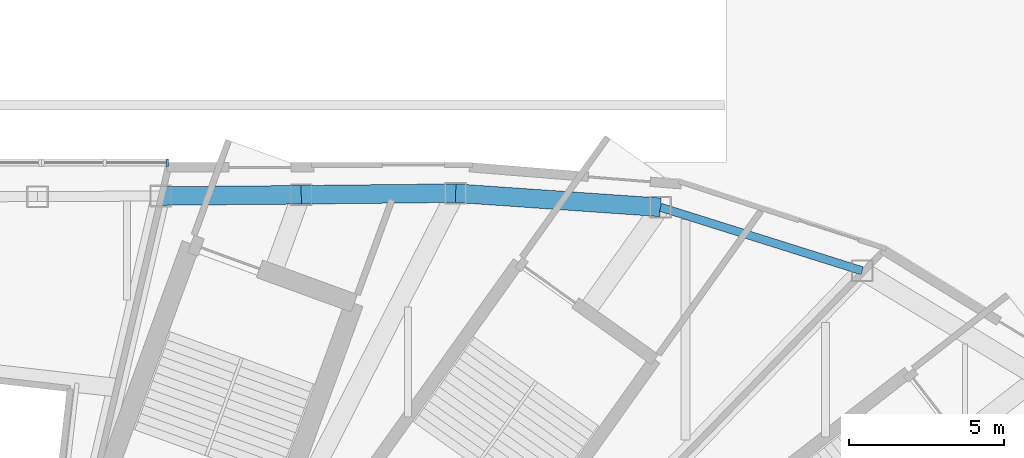
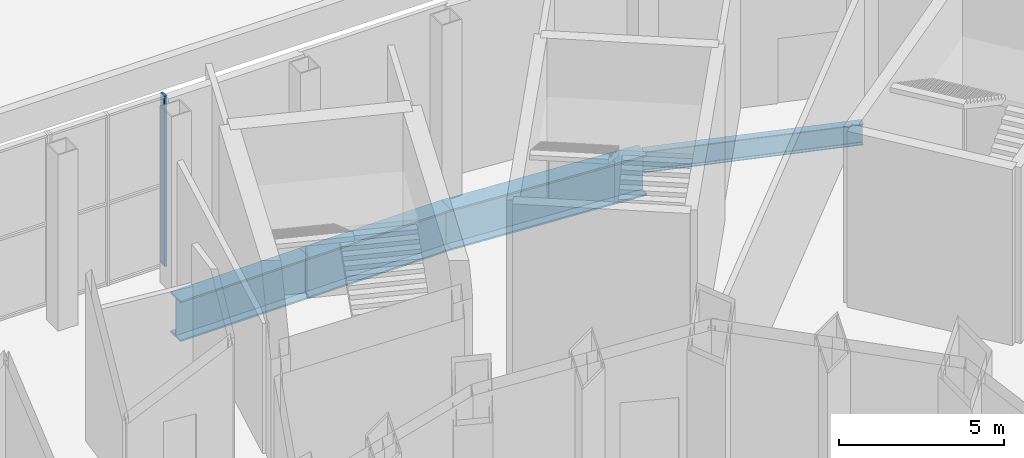
# One storey, part 12 of 47: 4 beams, 1 member, 1 element without a shape of its own.
"""IFC4 building model written with IfcOpenShell, lengths in metres."""

from ifc_helpers import new_model, si_unit, direction, frame, origin, origin_2d, place, context, subcontext, project, spatial, rectangle, i_section, extrude, material, material_profile, profile_set, type_object, element, aggregate, save


model = new_model("IFC4")

# Units and contexts
model_context = context("Model", 3, precision=1e-05, world=origin(), true_north=direction((0.0, 1.0)))
body_context = subcontext(model_context, "Body", "Model", "MODEL_VIEW")
ifc_project = project(units=[si_unit("LENGTHUNIT", "METRE"), si_unit("AREAUNIT", "SQUARE_METRE"), si_unit("VOLUMEUNIT", "CUBIC_METRE"), si_unit("PLANEANGLEUNIT", "RADIAN"), si_unit("MASSUNIT", "GRAM", prefix="KILO")], contexts=[model_context])

# Site, building, storey
site_placement = place(None, origin())
site = spatial("IfcSite", under=ifc_project, at=site_placement, CompositionType="ELEMENT")
building_placement = place(site_placement, origin())
building = spatial("IfcBuilding", under=site, at=building_placement, Name="Lantaw Convention Tower", CompositionType="ELEMENT")
storey_placement = place(building_placement, origin())
storey = spatial("IfcBuildingStorey", under=building, at=storey_placement, Name="L00", CompositionType="ELEMENT", Elevation=0.0)

# Beams
ifc_material_1 = material(Name="Steel ASTM A572 Grade 50", Category="steel")
ifc_material_profile_1 = material_profile(ifc_material_1, i_section(OverallWidth=0.60009765625, OverallDepth=1.5, WebThickness=0.02490234375, FlangeThickness=0.06005859375, at=origin_2d()), Name="PG1500X600X25X60")
ifc_profile_set_1 = profile_set([ifc_material_profile_1], Name="Steel ASTM A572 Grade 50")
beam_type_1 = type_object("IfcBeamType", Name="Beam E PG1500X600X25X60", PredefinedType="SPANDREL", material=ifc_profile_set_1)
beam_1_placement = place(storey_placement, frame((23.940185546875, 33.562744140625, -1.199951171875), z_axis=(-0.997615470709, 0.069017190627, 0.0), x_axis=(-0.069017190627, -0.997615470709, 0.0)))
element("IfcBeam", 1, at=beam_1_placement, inside=storey, type_object=beam_type_1, Name="Podium edge beam B03", PredefinedType="SPANDREL", context=body_context, shape_type="SweptSolid", body=[
    extrude(i_section(OverallWidth=0.60009765625, OverallDepth=1.5, WebThickness=0.02490234375, FlangeThickness=0.06005859375, at=origin_2d()), origin(), (0.0, 0.0, 1.0), 6.6220703125),
])
beam_2_placement = place(storey_placement, frame((17.333984375, 34.019775390625, -1.199951171875), z_axis=(-0.999942166471, -0.010754706535, 0.0), x_axis=(0.010754706535, -0.999942166471, 0.0)))
element("IfcBeam", 2, at=beam_2_placement, inside=storey, type_object=beam_type_1, Name="Podium edge beam R04", PredefinedType="SPANDREL", context=body_context, shape_type="SweptSolid", body=[
    extrude(i_section(OverallWidth=0.60009765625, OverallDepth=1.5, WebThickness=0.02490234375, FlangeThickness=0.06005859375, at=origin_2d()), origin(), (0.0, 0.0, 1.0), 4.971435546875),
])
beam_3_placement = place(storey_placement, frame((12.36279296875, 33.96630859375, -1.199951171875), z_axis=(-0.999964655563, -0.00840759331, 0.0), x_axis=(0.00840759331, -0.999964655563, 0.0)))
element("IfcBeam", 3, at=beam_3_placement, inside=storey, type_object=beam_type_1, Name="Podium edge beam B04", PredefinedType="SPANDREL", context=body_context, shape_type="SweptSolid", body=[
    extrude(i_section(OverallWidth=0.60009765625, OverallDepth=1.5, WebThickness=0.02490234375, FlangeThickness=0.06005859375, at=origin_2d()), origin(), (0.0, 0.0, 1.0), 4.530029296875),
])
ifc_material_2 = material(Name="Steel ASTM A992", Category="steel")
ifc_material_profile_2 = material_profile(ifc_material_2, i_section(OverallWidth=0.2666015625, OverallDepth=0.76953125, WebThickness=0.015625, FlangeThickness=0.025390625, FilletRadius=0.0126953125, at=origin_2d()), Name="W30X132")
ifc_profile_set_2 = profile_set([ifc_material_profile_2], Name="Steel ASTM A992")
beam_type_2 = type_object("IfcBeamType", Name="Beam E W30X132", PredefinedType="SPANDREL", material=ifc_profile_set_2)
beam_4_placement = place(storey_placement, frame((30.43603515625, 31.517578125, -0.834716796875), z_axis=(-0.953841834513, 0.300309431643, 0.0), x_axis=(-0.300309431643, -0.953841834513, 0.0)))
element("IfcBeam", 4, at=beam_4_placement, inside=storey, type_object=beam_type_2, Name="Podium edge beam R03", PredefinedType="SPANDREL", context=body_context, shape_type="SweptSolid", body=[
    extrude(i_section(OverallWidth=0.2666015625, OverallDepth=0.76953125, WebThickness=0.015625, FlangeThickness=0.025390625, FilletRadius=0.0126953125, at=origin_2d()), origin(), (0.0, 0.0, 1.0), 6.810302734375),
])

# Curtain wall, member
ifc_material_3 = material(Name="Aluminium framed curtain wall", Category="aluminium")
curtain_wall_type = type_object("IfcCurtainWallType", Name="Podium storefront curtain wall, pale aluminium", PredefinedType="USERDEFINED", material=ifc_material_3)
curtain_wall_placement = place(storey_placement, origin())
curtain_wall = element("IfcCurtainWall", 5, at=curtain_wall_placement, inside=storey, type_object=curtain_wall_type, Name="Podium storefront curtain wall, pale aluminium L00", ObjectType="STOREFRONT", PredefinedType="USERDEFINED")
ifc_material_4 = material(Name="Aluminium 6063-T6", Category="aluminium")
ifc_material_profile_3 = material_profile(ifc_material_4, rectangle(XDim=0.25, YDim=0.080078125, at=origin_2d()), Name="CW-P mullion 80x250")
ifc_profile_set_3 = profile_set([ifc_material_profile_3], Name="Aluminium 6063-T6")
member_type = type_object("IfcMemberType", Name="CW-P mullion 80x250", PredefinedType="MULLION", material=ifc_profile_set_3)
member_placement = place(storey_placement, frame((8.040283203125, 35.0, 0.0), z_axis=(0.0, 0.0, 1.0), x_axis=(0.0, -1.0, 0.0)))
member = element("IfcMember", 6, at=member_placement, type_object=member_type, Name="CW-P mullion 1", PredefinedType="MULLION", context=body_context, shape_type="SweptSolid", body=[
    extrude(rectangle(XDim=0.25, YDim=0.080078125, at=origin_2d()), origin(), (0.0, 0.0, 1.0), 6.300048828125),
])
aggregate(curtain_wall, [member])

save(model, "model.ifc")
